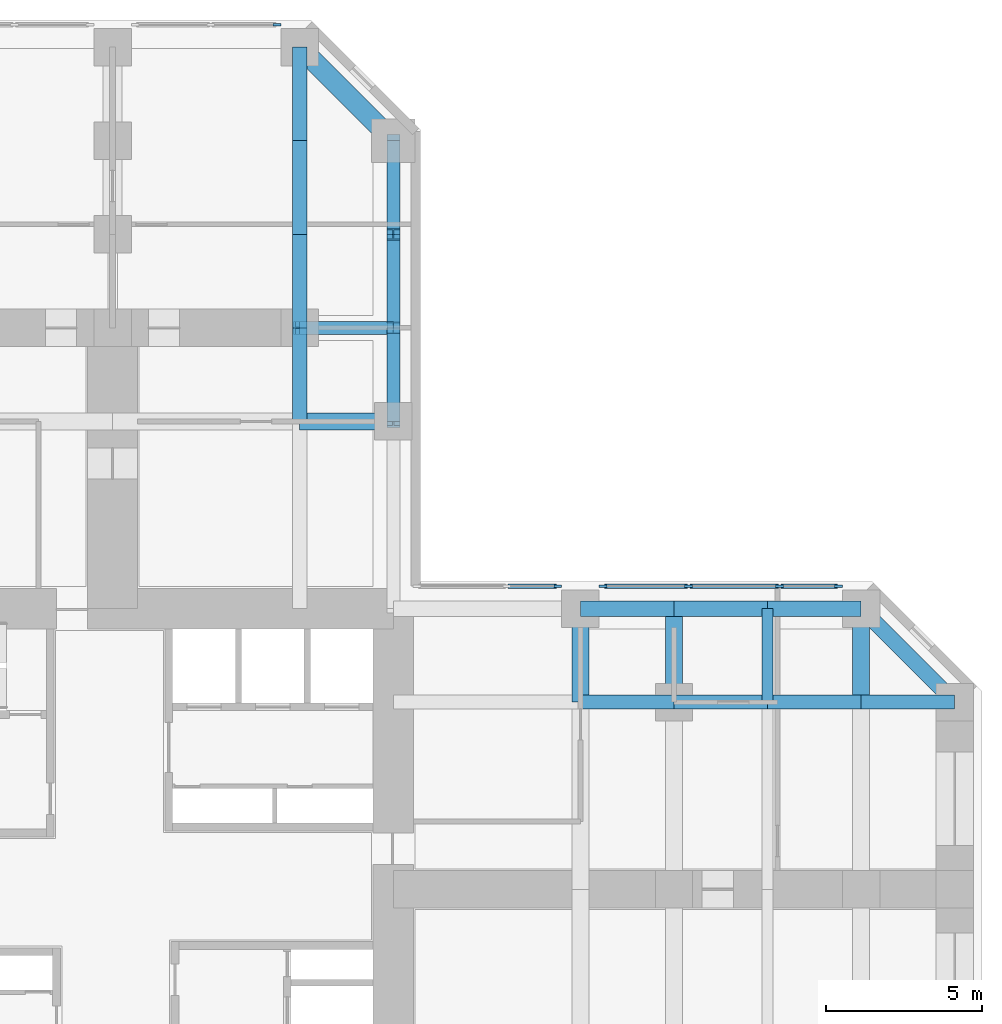
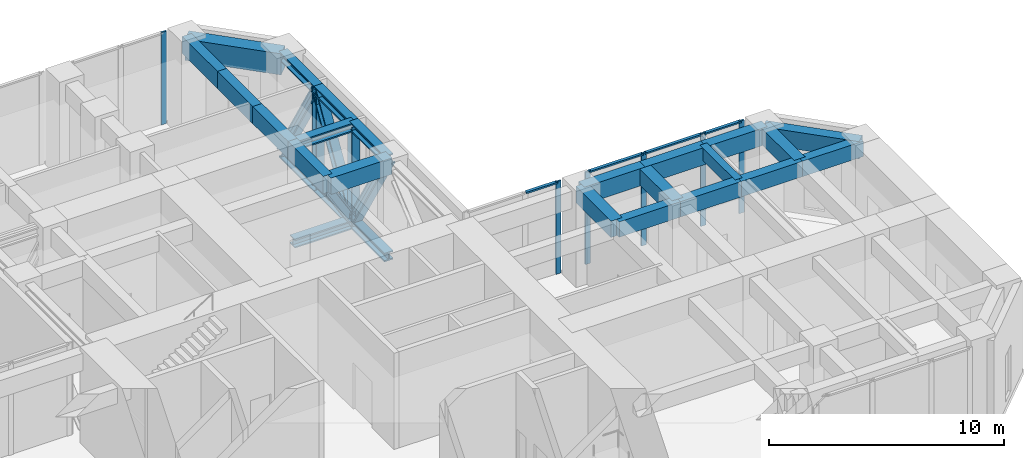
# One storey, part 5 of 11: 24 members, 18 beams, 2 elements without a shape of their own.
"""IFC4 building model written with IfcOpenShell, lengths in metres."""

from ifc_helpers import new_model, si_unit, direction, frame, origin, origin_2d, place, context, subcontext, project, spatial, rectangle, i_section, extrude, material, material_profile, profile_set, type_object, element, aggregate, save


model = new_model("IFC4")

# Units and contexts
model_context = context("Model", 3, precision=1e-05, world=origin(), true_north=direction((0.0, 1.0)))
body_context = subcontext(model_context, "Body", "Model", "MODEL_VIEW")
ifc_project = project(units=[si_unit("LENGTHUNIT", "METRE"), si_unit("AREAUNIT", "SQUARE_METRE"), si_unit("VOLUMEUNIT", "CUBIC_METRE"), si_unit("PLANEANGLEUNIT", "RADIAN"), si_unit("MASSUNIT", "GRAM", prefix="KILO")], contexts=[model_context])

# Site, building, storey
site_placement = place(None, origin())
site = spatial("IfcSite", under=ifc_project, at=site_placement, CompositionType="ELEMENT")
building_placement = place(site_placement, origin())
building = spatial("IfcBuilding", under=site, at=building_placement, Name="Torre Cruceta", CompositionType="ELEMENT")
storey_placement = place(building_placement, frame((0.0, 0.0, 95.5)))
storey = spatial("IfcBuildingStorey", under=building, at=storey_placement, Name="L23", CompositionType="ELEMENT", Elevation=95.5)

# Members
ifc_material_1 = material(Name="Steel A913 Gr65", Category="steel")
ifc_material_profile_1 = material_profile(ifc_material_1, i_section(OverallWidth=0.419189453125, OverallDepth=0.45458984375, WebThickness=0.042236328125, FlangeThickness=0.067626953125, at=origin_2d()), Name="W14X370")
ifc_profile_set_1 = profile_set([ifc_material_profile_1], Name="Steel A913 Gr65")
member_type_1 = type_object("IfcMemberType", Name="BELT TRUSS CHORD 1 W14X370", PredefinedType="CHORD", material=ifc_profile_set_1)
for number, where, z_axis, x_axis, name in (
    (1, (9.0, 15.0, -0.477294921875), (0.0, 1.0, 0.0), (-1.0, 0.0, 0.0), "Belt truss 1 S-B2"),
    (2, (9.0, 15.0, 4.57275390625), (0.0, 1.0, 0.0), (-1.0, 0.0, 0.0), "Belt truss 1 S-T2"),
    (3, (9.0, 18.0, -0.477294921875), (0.0, 1.0, 0.0), (-1.0, 0.0, 0.0), "Belt truss 1 S-B3"),
    (4, (9.0, 18.0, 4.57275390625), (0.0, 1.0, 0.0), (-1.0, 0.0, 0.0), "Belt truss 1 S-T3"),
    (5, (9.0, 21.0, -0.477294921875), (0.0, 1.0, 0.0), (-1.0, 0.0, 0.0), "Belt truss 1 S-B4"),
    (6, (9.0, 21.0, 4.57275390625), (0.0, 1.0, 0.0), (-1.0, 0.0, 0.0), "Belt truss 1 S-T4"),
    (7, (9.0, 18.0, -0.477294921875), (-1.0, 0.0, 0.0), (0.0, -1.0, 0.0), "Belt truss 1 XB1"),
    (8, (9.0, 18.0, 4.57275390625), (-1.0, 0.0, 0.0), (0.0, -1.0, 0.0), "Belt truss 1 XT1"),
):
    element("IfcMember", number, at=place(storey_placement, frame(where, z_axis=z_axis, x_axis=x_axis)), inside=storey, type_object=member_type_1, Name=name, PredefinedType="CHORD", context=body_context, shape_type="SweptSolid", body=[
        extrude(i_section(OverallWidth=0.419189453125, OverallDepth=0.45458984375, WebThickness=0.042236328125, FlangeThickness=0.067626953125, at=origin_2d()), origin(), (0.0, 0.0, 1.0), 3.0),
    ])
ifc_material_2 = material(Name="Steel A913 Gr65", Category="steel")
ifc_material_profile_2 = material_profile(ifc_material_2, i_section(OverallWidth=0.419189453125, OverallDepth=0.45458984375, WebThickness=0.042236328125, FlangeThickness=0.067626953125, at=origin_2d()), Name="W14X370")
ifc_profile_set_2 = profile_set([ifc_material_profile_2], Name="Steel A913 Gr65")
member_type_2 = type_object("IfcMemberType", Name="BELT TRUSS DIAGONAL 1 W14X370", PredefinedType="BRACE", material=ifc_profile_set_2)
for number, where, z_axis, x_axis, name in (
    (9, (9.0, 18.0, -0.477294921875), (0.0, -0.510731763788, 0.859740115068), (1.0, 0.0, 0.0), "Belt truss 1 S-D2"),
    (10, (9.0, 18.0, -0.477294921875), (0.0, 0.510731763788, 0.859740115068), (-1.0, 0.0, 0.0), "Belt truss 1 S-D3"),
    (11, (9.0, 24.0, -0.477294921875), (0.0, -0.510731763788, 0.859740115068), (1.0, 0.0, 0.0), "Belt truss 1 S-D4"),
    (12, (9.0, 18.0, -0.477294921875), (-0.510731763788, 0.0, 0.859740115068), (0.0, -1.0, 0.0), "Belt truss 1 XD1"),
):
    element("IfcMember", number, at=place(storey_placement, frame(where, z_axis=z_axis, x_axis=x_axis)), inside=storey, type_object=member_type_2, Name=name, PredefinedType="BRACE", context=body_context, shape_type="SweptSolid", body=[
        extrude(i_section(OverallWidth=0.419189453125, OverallDepth=0.45458984375, WebThickness=0.042236328125, FlangeThickness=0.067626953125, at=origin_2d()), origin(), (0.0, 0.0, 1.0), 5.8740234375),
    ])
ifc_material_3 = material(Name="Steel A913 Gr65", Category="steel")
ifc_material_profile_3 = material_profile(ifc_material_3, i_section(OverallWidth=0.393798828125, OverallDepth=0.3759765625, WebThickness=0.017333984375, FlangeThickness=0.027587890625, at=origin_2d()), Name="W14X145")
ifc_profile_set_3 = profile_set([ifc_material_profile_3], Name="Steel A913 Gr65")
member_type_3 = type_object("IfcMemberType", Name="BELT TRUSS POST 1 W14X145", PredefinedType="POST", material=ifc_profile_set_3)
for number, where, z_axis, x_axis, name in (
    (13, (9.0, 18.0, -0.477294921875), (0.0, 0.0, 1.0), (1.0, 0.0, 0.0), "Belt truss 1 S-P18"),
    (14, (9.0, 21.0, -0.477294921875), (0.0, 0.0, 1.0), (1.0, 0.0, 0.0), "Belt truss 1 S-P21"),
):
    element("IfcMember", number, at=place(storey_placement, frame(where, z_axis=z_axis, x_axis=x_axis)), inside=storey, type_object=member_type_3, Name=name, PredefinedType="POST", context=body_context, shape_type="SweptSolid", body=[
        extrude(i_section(OverallWidth=0.393798828125, OverallDepth=0.3759765625, WebThickness=0.017333984375, FlangeThickness=0.027587890625, at=origin_2d()), origin(), (0.0, 0.0, 1.0), 5.050048828125),
    ])

# Beams
ifc_material_4 = material(Name="Concrete G60 (fck 60 MPa)", Category="concrete")
ifc_material_profile_4 = material_profile(ifc_material_4, rectangle(XDim=0.449951171875, YDim=0.800048828125, at=origin_2d()), Name="RC 450X800")
ifc_profile_set_4 = profile_set([ifc_material_profile_4], Name="Concrete G60 (fck 60 MPa)")
beam_type_1 = type_object("IfcBeamType", Name="COLUMN LINE BEAM RC 450X800", PredefinedType="BEAM", material=ifc_profile_set_4)
for number, where, z_axis, x_axis, name in (
    (15, (15.0, 6.0, 4.39990234375), (1.0, 0.0, 0.0), (0.0, 1.0, 0.0), "LB1 L23 E col+ 2"),
    (16, (18.0, 6.0, 4.39990234375), (1.0, 0.0, 0.0), (0.0, 1.0, 0.0), "LB1 L23 E col+ 3"),
    (17, (21.0, 6.0, 4.39990234375), (1.0, 0.0, 0.0), (0.0, 1.0, 0.0), "LB1 L23 E col+ 4"),
    (18, (24.0, 6.0, 4.39990234375), (1.0, 0.0, 0.0), (0.0, 1.0, 0.0), "LB1 L23 E col+ 5"),
):
    element("IfcBeam", number, at=place(storey_placement, frame(where, z_axis=z_axis, x_axis=x_axis)), inside=storey, type_object=beam_type_1, Name=name, PredefinedType="BEAM", context=body_context, shape_type="SweptSolid", body=[
        extrude(rectangle(XDim=0.449951171875, YDim=0.800048828125, at=origin_2d()), origin(), (0.0, 0.0, 1.0), 3.0),
    ])
ifc_material_5 = material(Name="Concrete G60 (fck 60 MPa)", Category="concrete")
ifc_material_profile_5 = material_profile(ifc_material_5, rectangle(XDim=0.449951171875, YDim=0.89990234375, at=origin_2d()), Name="RC 450X900")
ifc_profile_set_5 = profile_set([ifc_material_profile_5], Name="Concrete G60 (fck 60 MPa)")
beam_type_2 = type_object("IfcBeamType", Name="COLUMN LINE BEAM RC 450X900", PredefinedType="BEAM", material=ifc_profile_set_5)
for number, where, z_axis, x_axis, name in (
    (19, (6.0, 15.0, 4.35009765625), (0.0, 1.0, 0.0), (-1.0, 0.0, 0.0), "LB4 L23 N col- 2"),
    (20, (6.0, 18.0, 4.35009765625), (0.0, 1.0, 0.0), (-1.0, 0.0, 0.0), "LB4 L23 N col- 3"),
    (21, (6.0, 21.0, 4.35009765625), (0.0, 1.0, 0.0), (-1.0, 0.0, 0.0), "LB4 L23 N col- 4"),
    (22, (6.0, 24.0, 4.35009765625), (0.0, 1.0, 0.0), (-1.0, 0.0, 0.0), "LB4 L23 N col- 5"),
):
    element("IfcBeam", number, at=place(storey_placement, frame(where, z_axis=z_axis, x_axis=x_axis)), inside=storey, type_object=beam_type_2, Name=name, PredefinedType="BEAM", context=body_context, shape_type="SweptSolid", body=[
        extrude(rectangle(XDim=0.449951171875, YDim=0.89990234375, at=origin_2d()), origin(), (0.0, 0.0, 1.0), 3.0),
    ])
ifc_material_6 = material(Name="Concrete G60 (fck 60 MPa)", Category="concrete")
ifc_material_profile_6 = material_profile(ifc_material_6, rectangle(XDim=0.550048828125, YDim=0.85009765625, at=origin_2d()), Name="RC 550X850")
ifc_profile_set_6 = profile_set([ifc_material_profile_6], Name="Concrete G60 (fck 60 MPa)")
beam_type_3 = type_object("IfcBeamType", Name="CROSS BEAM RC 550X850", PredefinedType="BEAM", material=ifc_profile_set_6)
for number, where, z_axis, x_axis, name in (
    (23, (9.0, 15.0, 4.375), (-1.0, 0.0, 0.0), (0.0, -1.0, 0.0), "GB4 L23 N cross15 1"),
    (24, (15.0, 6.0, 4.375), (0.0, 1.0, 0.0), (-1.0, 0.0, 0.0), "GB4 L23 E cross15 4"),
    (25, (18.0, 6.0, 4.375), (0.0, 1.0, 0.0), (-1.0, 0.0, 0.0), "GB4 L23 E cross18 4"),
    (26, (24.0, 6.0, 4.375), (0.0, 1.0, 0.0), (-1.0, 0.0, 0.0), "GB4 L23 E cross24 4"),
):
    element("IfcBeam", number, at=place(storey_placement, frame(where, z_axis=z_axis, x_axis=x_axis)), inside=storey, type_object=beam_type_3, Name=name, PredefinedType="BEAM", context=body_context, shape_type="SweptSolid", body=[
        extrude(rectangle(XDim=0.550048828125, YDim=0.85009765625, at=origin_2d()), origin(), (0.0, 0.0, 1.0), 3.0),
    ])

# Curtain wall, members
ifc_material_7 = material(Name="Aluminium unitised curtain wall", Category="aluminium")
curtain_wall_type = type_object("IfcCurtainWallType", Name="CURTAIN WALL CW-S SKY GARDEN", PredefinedType="USERDEFINED", material=ifc_material_7)
curtain_wall_1_placement = place(storey_placement, origin())
curtain_wall_1 = element("IfcCurtainWall", 27, at=curtain_wall_1_placement, inside=storey, type_object=curtain_wall_type, Name="CW-S L23 E side 04", ObjectType="UNITISED", PredefinedType="USERDEFINED")
ifc_material_8 = material(Name="Aluminium mullion", Category="aluminium")
ifc_material_profile_7 = material_profile(ifc_material_8, rectangle(XDim=0.080078125, YDim=0.25, at=origin_2d()), Name="AL 80X250")
ifc_profile_set_7 = profile_set([ifc_material_profile_7], Name="Aluminium mullion")
member_type_4 = type_object("IfcMemberType", Name="CW-S MULLION 80X250", PredefinedType="MULLION", material=ifc_profile_set_7)
member_1_placement = place(storey_placement, frame((23.27392578125, 9.719970703125, 0.0), z_axis=(0.0, 0.0, 1.0), x_axis=(0.0, -1.0, 0.0)))
member_1 = element("IfcMember", 28, at=member_1_placement, type_object=member_type_4, Name="CW-S mullion 1", PredefinedType="MULLION", context=body_context, shape_type="SweptSolid", body=[
    extrude(rectangle(XDim=0.080078125, YDim=0.25, at=origin_2d()), origin(), (0.0, 0.0, 1.0), 4.800048828125),
])
member_2_placement = place(storey_placement, frame((21.382568359375, 9.719970703125, 0.0), z_axis=(0.0, 0.0, 1.0), x_axis=(0.0, -1.0, 0.0)))
member_2 = element("IfcMember", 29, at=member_2_placement, type_object=member_type_4, Name="CW-S mullion 2", PredefinedType="MULLION", context=body_context, shape_type="SweptSolid", body=[
    extrude(rectangle(XDim=0.080078125, YDim=0.25, at=origin_2d()), origin(), (0.0, 0.0, 1.0), 4.800048828125),
])
member_3_placement = place(storey_placement, frame((18.467041015625, 9.719970703125, 0.0), z_axis=(0.0, 0.0, 1.0), x_axis=(0.0, -1.0, 0.0)))
member_3 = element("IfcMember", 30, at=member_3_placement, type_object=member_type_4, Name="CW-S mullion 3", PredefinedType="MULLION", context=body_context, shape_type="SweptSolid", body=[
    extrude(rectangle(XDim=0.080078125, YDim=0.25, at=origin_2d()), origin(), (0.0, 0.0, 1.0), 4.800048828125),
])
member_4_placement = place(storey_placement, frame((15.72607421875, 9.719970703125, 0.0), z_axis=(0.0, 0.0, 1.0), x_axis=(0.0, -1.0, 0.0)))
member_4 = element("IfcMember", 31, at=member_4_placement, type_object=member_type_4, Name="CW-S mullion 4", PredefinedType="MULLION", context=body_context, shape_type="SweptSolid", body=[
    extrude(rectangle(XDim=0.080078125, YDim=0.25, at=origin_2d()), origin(), (0.0, 0.0, 1.0), 4.800048828125),
])
member_5_placement = place(storey_placement, frame((14.27392578125, 9.719970703125, 0.0), z_axis=(0.0, 0.0, 1.0), x_axis=(0.0, -1.0, 0.0)))
member_5 = element("IfcMember", 32, at=member_5_placement, type_object=member_type_4, Name="CW-S mullion 5", PredefinedType="MULLION", context=body_context, shape_type="SweptSolid", body=[
    extrude(rectangle(XDim=0.080078125, YDim=0.25, at=origin_2d()), origin(), (0.0, 0.0, 1.0), 4.800048828125),
])

# Curtain wall, member
curtain_wall_2_placement = place(storey_placement, origin())
curtain_wall_2 = element("IfcCurtainWall", 33, at=curtain_wall_2_placement, inside=storey, type_object=curtain_wall_type, Name="CW-S L23 N tip 07", ObjectType="UNITISED", PredefinedType="USERDEFINED")
member_6_placement = place(storey_placement, frame((5.27392578125, 27.719970703125, 0.0), z_axis=(0.0, 0.0, 1.0), x_axis=(0.0, -1.0, 0.0)))
member_6 = element("IfcMember", 34, at=member_6_placement, type_object=member_type_4, Name="CW-S mullion 1", PredefinedType="MULLION", context=body_context, shape_type="SweptSolid", body=[
    extrude(rectangle(XDim=0.080078125, YDim=0.25, at=origin_2d()), origin(), (0.0, 0.0, 1.0), 4.800048828125),
])
aggregate(curtain_wall_2, [member_6])

# Member
ifc_material_9 = material(Name="Aluminium transom", Category="aluminium")
ifc_material_profile_8 = material_profile(ifc_material_9, rectangle(XDim=0.14990234375, YDim=0.080078125, at=origin_2d()), Name="AL 150X80")
ifc_profile_set_8 = profile_set([ifc_material_profile_8], Name="Aluminium transom")
member_type_5 = type_object("IfcMemberType", Name="CW-S TRANSOM 80X150", PredefinedType="USERDEFINED", material=ifc_profile_set_8)
member_7_placement = place(storey_placement, frame((23.23388671875, 9.719970703125, 4.760009765625), z_axis=(-1.0, 0.0, 0.0), x_axis=(0.0, -1.0, 0.0)))
member_7 = element("IfcMember", 35, at=member_7_placement, type_object=member_type_5, Name="CW-S transom 1", ObjectType="TRANSOM", PredefinedType="USERDEFINED", context=body_context, shape_type="SweptSolid", body=[
    extrude(rectangle(XDim=0.14990234375, YDim=0.080078125, at=origin_2d()), origin(), (0.0, 0.0, 1.0), 1.811279296875),
])

member_8_placement = place(storey_placement, frame((21.342529296875, 9.719970703125, 4.760009765625), z_axis=(-1.0, 0.0, 0.0), x_axis=(0.0, -1.0, 0.0)))
member_8 = element("IfcMember", 36, at=member_8_placement, type_object=member_type_5, Name="CW-S transom 2", ObjectType="TRANSOM", PredefinedType="USERDEFINED", context=body_context, shape_type="SweptSolid", body=[
    extrude(rectangle(XDim=0.14990234375, YDim=0.080078125, at=origin_2d()), origin(), (0.0, 0.0, 1.0), 2.835693359375),
])

member_9_placement = place(storey_placement, frame((18.427001953125, 9.719970703125, 4.760009765625), z_axis=(-1.0, 0.0, 0.0), x_axis=(0.0, -1.0, 0.0)))
member_9 = element("IfcMember", 37, at=member_9_placement, type_object=member_type_5, Name="CW-S transom 3", ObjectType="TRANSOM", PredefinedType="USERDEFINED", context=body_context, shape_type="SweptSolid", body=[
    extrude(rectangle(XDim=0.14990234375, YDim=0.080078125, at=origin_2d()), origin(), (0.0, 0.0, 1.0), 2.660888671875),
])

member_10_placement = place(storey_placement, frame((14.23388671875, 9.719970703125, 4.760009765625), z_axis=(-1.0, 0.0, 0.0), x_axis=(0.0, -1.0, 0.0)))
member_10 = element("IfcMember", 38, at=member_10_placement, type_object=member_type_5, Name="CW-S transom 4", ObjectType="TRANSOM", PredefinedType="USERDEFINED", context=body_context, shape_type="SweptSolid", body=[
    extrude(rectangle(XDim=0.14990234375, YDim=0.080078125, at=origin_2d()), origin(), (0.0, 0.0, 1.0), 1.558349609375),
])

aggregate(curtain_wall_1, [member_1, member_2, member_3, member_4, member_5, member_7, member_8, member_9, member_10])

# Beams
ifc_material_10 = material(Name="Concrete G60 (fck 60 MPa)", Category="concrete")
ifc_material_profile_9 = material_profile(ifc_material_10, rectangle(XDim=0.35009765625, YDim=0.64990234375, at=origin_2d()), Name="RC 350X650")
ifc_profile_set_9 = profile_set([ifc_material_profile_9], Name="Concrete G60 (fck 60 MPa)")
beam_type_4 = type_object("IfcBeamType", Name="SECONDARY BEAM RC 350X650", PredefinedType="JOIST", material=ifc_profile_set_9)
beam_1_placement = place(storey_placement, frame((21.0, 6.0, 4.47509765625), z_axis=(0.0, 1.0, 0.0), x_axis=(-1.0, 0.0, 0.0)))
element("IfcBeam", 39, at=beam_1_placement, inside=storey, type_object=beam_type_4, Name="JB3 L23 E sec21 4", PredefinedType="JOIST", context=body_context, shape_type="SweptSolid", body=[
    extrude(rectangle(XDim=0.35009765625, YDim=0.64990234375, at=origin_2d()), origin(), (0.0, 0.0, 1.0), 3.0),
])
ifc_material_11 = material(Name="Concrete G60 (fck 60 MPa)", Category="concrete")
ifc_material_profile_10 = material_profile(ifc_material_11, rectangle(XDim=0.5, YDim=0.89990234375, at=origin_2d()), Name="RC 500X900")
ifc_profile_set_10 = profile_set([ifc_material_profile_10], Name="Concrete G60 (fck 60 MPa)")
beam_type_5 = type_object("IfcBeamType", Name="SPANDREL BEAM RC 500X900", PredefinedType="SPANDREL", material=ifc_profile_set_10)
for number, where, z_axis, x_axis, name in (
    (40, (15.0, 9.0, 4.35009765625), (1.0, 0.0, 0.0), (0.0, 1.0, 0.0), "SB4 L23 E side+ 2"),
    (41, (18.0, 9.0, 4.35009765625), (1.0, 0.0, 0.0), (0.0, 1.0, 0.0), "SB4 L23 E side+ 3"),
    (42, (21.0, 9.0, 4.35009765625), (1.0, 0.0, 0.0), (0.0, 1.0, 0.0), "SB4 L23 E side+ 4"),
):
    element("IfcBeam", number, at=place(storey_placement, frame(where, z_axis=z_axis, x_axis=x_axis)), inside=storey, type_object=beam_type_5, Name=name, PredefinedType="SPANDREL", context=body_context, shape_type="SweptSolid", body=[
        extrude(rectangle(XDim=0.5, YDim=0.89990234375, at=origin_2d()), origin(), (0.0, 0.0, 1.0), 3.0),
    ])
beam_2_placement = place(storey_placement, frame((24.0, 9.0, 4.35009765625), z_axis=(0.707106781187, -0.707106781187, 0.0), x_axis=(0.707106781187, 0.707106781187, 0.0)))
element("IfcBeam", 43, at=beam_2_placement, inside=storey, type_object=beam_type_5, Name="SB4 L23 E side+ 5", PredefinedType="SPANDREL", context=body_context, shape_type="SweptSolid", body=[
    extrude(rectangle(XDim=0.5, YDim=0.89990234375, at=origin_2d()), origin(), (0.0, 0.0, 1.0), 4.24267578125),
])
ifc_material_12 = material(Name="Concrete G60 (fck 60 MPa)", Category="concrete")
ifc_material_profile_11 = material_profile(ifc_material_12, rectangle(XDim=0.64990234375, YDim=1.10009765625, at=origin_2d()), Name="RC 650X1100")
ifc_profile_set_11 = profile_set([ifc_material_profile_11], Name="Concrete G60 (fck 60 MPa)")
beam_type_6 = type_object("IfcBeamType", Name="SPANDREL BEAM RC 650X1100", PredefinedType="SPANDREL", material=ifc_profile_set_11)
beam_3_placement = place(storey_placement, frame((9.0, 24.0, 4.25), z_axis=(-0.707106781187, 0.707106781187, 0.0), x_axis=(-0.707106781187, -0.707106781187, 0.0)))
element("IfcBeam", 44, at=beam_3_placement, inside=storey, type_object=beam_type_6, Name="SB3 L23 N side- 5", PredefinedType="SPANDREL", context=body_context, shape_type="SweptSolid", body=[
    extrude(rectangle(XDim=0.64990234375, YDim=1.10009765625, at=origin_2d()), origin(), (0.0, 0.0, 1.0), 4.24267578125),
])

save(model, "model.ifc")
